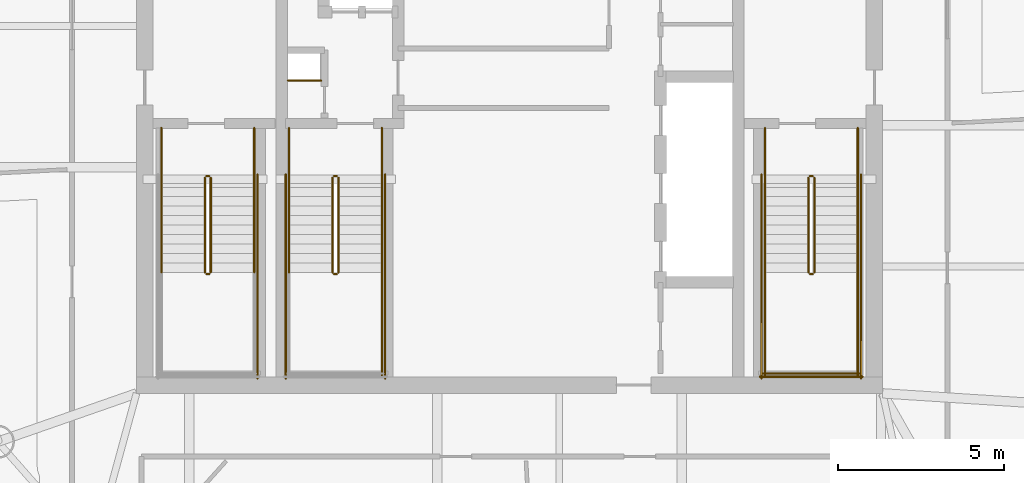
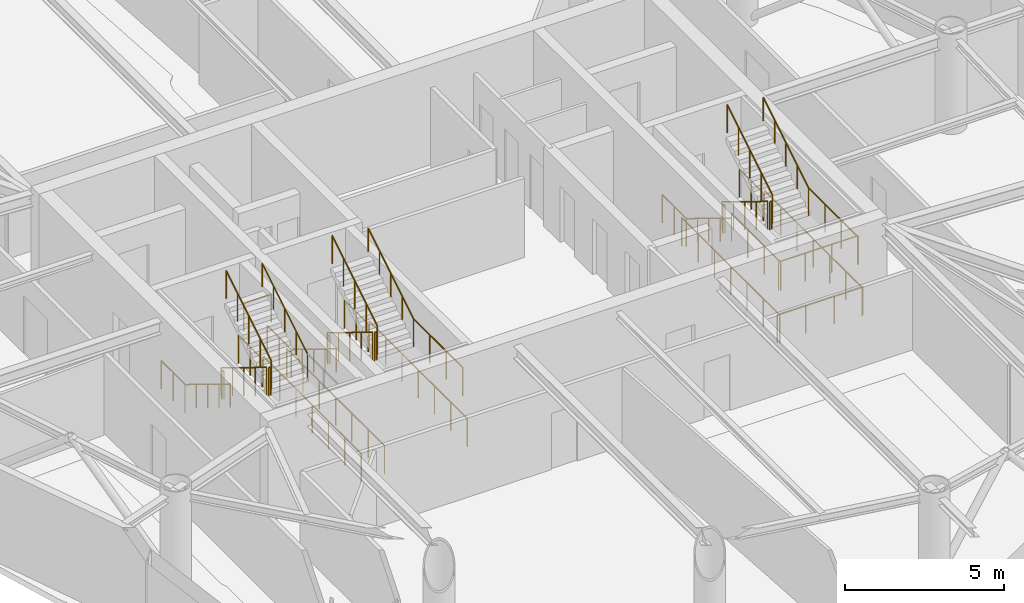
# One storey, part 16 of 17: 35 railings.
"""IFC4 building model written with IfcOpenShell, lengths in metres."""

from ifc_helpers import new_model, si_unit, direction, frame, origin, origin_2d, place, context, subcontext, project, spatial, circle, extrude, material, type_object, element, save


model = new_model("IFC4")

# Units and contexts
model_context = context("Model", 3, precision=1e-05, world=origin(), true_north=direction((0.0, 1.0)))
body_context = subcontext(model_context, "Body", "Model", "MODEL_VIEW")
ifc_project = project(units=[si_unit("LENGTHUNIT", "METRE"), si_unit("AREAUNIT", "SQUARE_METRE"), si_unit("VOLUMEUNIT", "CUBIC_METRE"), si_unit("PLANEANGLEUNIT", "RADIAN"), si_unit("MASSUNIT", "GRAM", prefix="KILO")], contexts=[model_context])

# Site, building, storey
site_placement = place(None, origin())
site = spatial("IfcSite", under=ifc_project, at=site_placement, CompositionType="ELEMENT")
building_placement = place(site_placement, origin())
building = spatial("IfcBuilding", under=site, at=building_placement, Name="Bramvorn Convention Spire", CompositionType="ELEMENT")
storey_placement = place(building_placement, frame((0.0, 0.0, 280.550048828125)))
storey = spatial("IfcBuildingStorey", under=building, at=storey_placement, Name="L71", CompositionType="ELEMENT", Elevation=280.550048828125)

# Railings
ifc_material_1 = material(Name="Painted Steel Balustrade & Guardrail", Category="steel")
railing_type_1 = type_object("IfcRailingType", Name="RL-STAIR-GUARD-1100", PredefinedType="GUARDRAIL", material=ifc_material_1)
railing_1_placement = place(storey_placement, frame((28.81005859375, 25.050048828125, 0.175048828125)))
element("IfcRailing", 1, at=railing_1_placement, inside=storey, type_object=railing_type_1, Name="L71 ST1 stair guard 1", PredefinedType="GUARDRAIL", context=body_context, shape_type="SweptSolid", body=[
    extrude(circle(Radius=0.02392578125, at=origin_2d()), frame((0.0, 0.0, 1.076171875), z_axis=(0.0, -0.852179220489, 0.52325001306), x_axis=(1.0, 0.0, 0.0)), (0.0, 0.0, 1.0), 3.344482421875),
    extrude(circle(Radius=0.02099609375, at=origin_2d()), origin(), (0.0, 0.0, 1.0), 1.052001953125),
    extrude(circle(Radius=0.02099609375, at=origin_2d()), frame((0.0, -0.71240234375, 0.4375)), (0.0, 0.0, 1.0), 1.052001953125),
    extrude(circle(Radius=0.02099609375, at=origin_2d()), frame((0.0, -1.425048828125, 0.875)), (0.0, 0.0, 1.0), 1.052001953125),
    extrude(circle(Radius=0.02099609375, at=origin_2d()), frame((0.0, -2.1376953125, 1.3125)), (0.0, 0.0, 1.0), 1.052001953125),
    extrude(circle(Radius=0.02099609375, at=origin_2d()), frame((0.0, -2.85009765625, 1.75)), (0.0, 0.0, 1.0), 1.052001953125),
])
railing_2_placement = place(storey_placement, frame((28.860107421875, 22.14990234375, 1.925048828125)))
element("IfcRailing", 2, at=railing_2_placement, inside=storey, type_object=railing_type_1, Name="L71 ST1 stair guard 2", PredefinedType="GUARDRAIL", context=body_context, shape_type="SweptSolid", body=[
    extrude(circle(Radius=0.02392578125, at=origin_2d()), frame((0.0, 0.0, 1.076171875), z_axis=(1.0, 0.0, 0.0), x_axis=(0.0, 1.0, 0.0)), (0.0, 0.0, 1.0), 0.079833984375),
    extrude(circle(Radius=0.02099609375, at=origin_2d()), origin(), (0.0, 0.0, 1.0), 1.052001953125),
    extrude(circle(Radius=0.02099609375, at=origin_2d()), frame((0.079833984375, 0.0, 0.0)), (0.0, 0.0, 1.0), 1.052001953125),
])
railing_3_placement = place(storey_placement, frame((28.989990234375, 22.199951171875, 2.099853515625)))
element("IfcRailing", 3, at=railing_3_placement, inside=storey, type_object=railing_type_1, Name="L71 ST1 stair guard 6", PredefinedType="GUARDRAIL", context=body_context, shape_type="SweptSolid", body=[
    extrude(circle(Radius=0.02392578125, at=origin_2d()), frame((0.0, 0.0, 1.076171875), z_axis=(0.0, 0.852179220489, 0.52325001306), x_axis=(-1.0, 0.0, 0.0)), (0.0, 0.0, 1.0), 3.344482421875),
    extrude(circle(Radius=0.02099609375, at=origin_2d()), origin(), (0.0, 0.0, 1.0), 1.052001953125),
    extrude(circle(Radius=0.02099609375, at=origin_2d()), frame((0.0, 0.71240234375, 0.4375)), (0.0, 0.0, 1.0), 1.052001953125),
    extrude(circle(Radius=0.02099609375, at=origin_2d()), frame((0.0, 1.425048828125, 0.875)), (0.0, 0.0, 1.0), 1.052001953125),
    extrude(circle(Radius=0.02099609375, at=origin_2d()), frame((0.0, 2.1376953125, 1.3125)), (0.0, 0.0, 1.0), 1.052001953125),
    extrude(circle(Radius=0.02099609375, at=origin_2d()), frame((0.0, 2.85009765625, 1.75)), (0.0, 0.0, 1.0), 1.052001953125),
])
railing_4_placement = place(storey_placement, frame((28.860107421875, 25.10009765625, 0.0)))
element("IfcRailing", 4, at=railing_4_placement, inside=storey, type_object=railing_type_1, Name="L71 ST1 stair guard 7", PredefinedType="GUARDRAIL", context=body_context, shape_type="SweptSolid", body=[
    extrude(circle(Radius=0.02392578125, at=origin_2d()), frame((0.0, 0.0, 1.076171875), z_axis=(1.0, 0.0, 0.0), x_axis=(0.0, 1.0, 0.0)), (0.0, 0.0, 1.0), 0.079833984375),
    extrude(circle(Radius=0.02099609375, at=origin_2d()), origin(), (0.0, 0.0, 1.0), 1.052001953125),
    extrude(circle(Radius=0.02099609375, at=origin_2d()), frame((0.079833984375, 0.0, 0.0)), (0.0, 0.0, 1.0), 1.052001953125),
])
for number, where, name in (
    (5, (27.5, 26.550048828125, 0.0), "L71 ST1 stair guard 8"),
    (6, (30.300048828125, 26.550048828125, 0.0), "L71 ST1 stair guard 9"),
):
    element("IfcRailing", number, at=place(storey_placement, frame(where)), inside=storey, type_object=railing_type_1, Name=name, PredefinedType="GUARDRAIL", context=body_context, shape_type="SweptSolid", body=[
        extrude(circle(Radius=0.02392578125, at=origin_2d()), frame((0.0, 0.0, 1.076171875), z_axis=(0.0, -1.0, 0.0), x_axis=(1.0, 0.0, 0.0)), (0.0, 0.0, 1.0), 1.5),
        extrude(circle(Radius=0.02099609375, at=origin_2d()), origin(), (0.0, 0.0, 1.0), 1.052001953125),
        extrude(circle(Radius=0.02099609375, at=origin_2d()), frame((0.0, -0.75, 0.0)), (0.0, 0.0, 1.0), 1.052001953125),
        extrude(circle(Radius=0.02099609375, at=origin_2d()), frame((0.0, -1.5, 0.0)), (0.0, 0.0, 1.0), 1.052001953125),
    ])
railing_5_placement = place(storey_placement, frame((30.39990234375, 25.14990234375, 0.0)))
element("IfcRailing", 7, at=railing_5_placement, inside=storey, type_object=railing_type_1, Name="L71 ST1 stair guard 11", PredefinedType="GUARDRAIL", context=body_context, shape_type="SweptSolid", body=[
    extrude(circle(Radius=0.02392578125, at=origin_2d()), frame((0.0, 0.0, 1.076171875), z_axis=(0.0, -1.0, 0.0), x_axis=(1.0, 0.0, 0.0)), (0.0, 0.0, 1.0), 6.14990234375),
    extrude(circle(Radius=0.02099609375, at=origin_2d()), origin(), (0.0, 0.0, 1.0), 1.052001953125),
    extrude(circle(Radius=0.02099609375, at=origin_2d()), frame((0.0, -1.02490234375, 0.0)), (0.0, 0.0, 1.0), 1.052001953125),
    extrude(circle(Radius=0.02099609375, at=origin_2d()), frame((0.0, -2.050048828125, 0.0)), (0.0, 0.0, 1.0), 1.052001953125),
    extrude(circle(Radius=0.02099609375, at=origin_2d()), frame((0.0, -3.074951171875, 0.0)), (0.0, 0.0, 1.0), 1.052001953125),
    extrude(circle(Radius=0.02099609375, at=origin_2d()), frame((0.0, -4.099853515625, 0.0)), (0.0, 0.0, 1.0), 1.052001953125),
    extrude(circle(Radius=0.02099609375, at=origin_2d()), frame((0.0, -5.125, 0.0)), (0.0, 0.0, 1.0), 1.052001953125),
    extrude(circle(Radius=0.02099609375, at=origin_2d()), frame((0.0, -6.14990234375, 0.0)), (0.0, 0.0, 1.0), 1.052001953125),
])
railing_6_placement = place(storey_placement, frame((47.010009765625, 25.050048828125, 0.175048828125)))
element("IfcRailing", 8, at=railing_6_placement, inside=storey, type_object=railing_type_1, Name="L71 ST2 stair guard 1", PredefinedType="GUARDRAIL", context=body_context, shape_type="SweptSolid", body=[
    extrude(circle(Radius=0.02392578125, at=origin_2d()), frame((0.0, 0.0, 1.076171875), z_axis=(0.0, -0.852179220489, 0.52325001306), x_axis=(1.0, 0.0, 0.0)), (0.0, 0.0, 1.0), 3.344482421875),
    extrude(circle(Radius=0.02099609375, at=origin_2d()), origin(), (0.0, 0.0, 1.0), 1.052001953125),
    extrude(circle(Radius=0.02099609375, at=origin_2d()), frame((0.0, -0.71240234375, 0.4375)), (0.0, 0.0, 1.0), 1.052001953125),
    extrude(circle(Radius=0.02099609375, at=origin_2d()), frame((0.0, -1.425048828125, 0.875)), (0.0, 0.0, 1.0), 1.052001953125),
    extrude(circle(Radius=0.02099609375, at=origin_2d()), frame((0.0, -2.1376953125, 1.3125)), (0.0, 0.0, 1.0), 1.052001953125),
    extrude(circle(Radius=0.02099609375, at=origin_2d()), frame((0.0, -2.85009765625, 1.75)), (0.0, 0.0, 1.0), 1.052001953125),
])
railing_7_placement = place(storey_placement, frame((47.06005859375, 22.14990234375, 1.925048828125)))
element("IfcRailing", 9, at=railing_7_placement, inside=storey, type_object=railing_type_1, Name="L71 ST2 stair guard 2", PredefinedType="GUARDRAIL", context=body_context, shape_type="SweptSolid", body=[
    extrude(circle(Radius=0.02392578125, at=origin_2d()), frame((0.0, 0.0, 1.076171875), z_axis=(1.0, 0.0, 0.0), x_axis=(0.0, 1.0, 0.0)), (0.0, 0.0, 1.0), 0.079833984375),
    extrude(circle(Radius=0.02099609375, at=origin_2d()), origin(), (0.0, 0.0, 1.0), 1.052001953125),
    extrude(circle(Radius=0.02099609375, at=origin_2d()), frame((0.079833984375, 0.0, 0.0)), (0.0, 0.0, 1.0), 1.052001953125),
])
for number, where, name in (
    (10, (45.699951171875, 22.199951171875, 1.925048828125), "L71 ST2 stair guard 3"),
    (11, (48.5, 22.199951171875, 1.925048828125), "L71 ST2 stair guard 4"),
):
    element("IfcRailing", number, at=place(storey_placement, frame(where)), inside=storey, type_object=railing_type_1, Name=name, PredefinedType="GUARDRAIL", context=body_context, shape_type="SweptSolid", body=[
        extrude(circle(Radius=0.02392578125, at=origin_2d()), frame((0.0, 0.0, 1.076171875), z_axis=(0.0, -1.0, 0.0), x_axis=(1.0, 0.0, 0.0)), (0.0, 0.0, 1.0), 3.099853515625),
        extrude(circle(Radius=0.02099609375, at=origin_2d()), origin(), (0.0, 0.0, 1.0), 1.052001953125),
        extrude(circle(Radius=0.02099609375, at=origin_2d()), frame((0.0, -1.033203125, 0.0)), (0.0, 0.0, 1.0), 1.052001953125),
        extrude(circle(Radius=0.02099609375, at=origin_2d()), frame((0.0, -2.066650390625, 0.0)), (0.0, 0.0, 1.0), 1.052001953125),
        extrude(circle(Radius=0.02099609375, at=origin_2d()), frame((0.0, -3.099853515625, 0.0)), (0.0, 0.0, 1.0), 1.052001953125),
    ])
railing_8_placement = place(storey_placement, frame((45.64990234375, 19.14990234375, 1.925048828125)))
element("IfcRailing", 12, at=railing_8_placement, inside=storey, type_object=railing_type_1, Name="L71 ST2 stair guard 5", PredefinedType="GUARDRAIL", context=body_context, shape_type="SweptSolid", body=[
    extrude(circle(Radius=0.02392578125, at=origin_2d()), frame((0.0, 0.0, 1.076171875), z_axis=(1.0, 0.0, 0.0), x_axis=(0.0, 1.0, 0.0)), (0.0, 0.0, 1.0), 2.900146484375),
    extrude(circle(Radius=0.02099609375, at=origin_2d()), origin(), (0.0, 0.0, 1.0), 1.052001953125),
    extrude(circle(Radius=0.02099609375, at=origin_2d()), frame((0.966796875, 0.0, 0.0)), (0.0, 0.0, 1.0), 1.052001953125),
    extrude(circle(Radius=0.02099609375, at=origin_2d()), frame((1.933349609375, 0.0, 0.0)), (0.0, 0.0, 1.0), 1.052001953125),
    extrude(circle(Radius=0.02099609375, at=origin_2d()), frame((2.900146484375, 0.0, 0.0)), (0.0, 0.0, 1.0), 1.052001953125),
])
railing_9_placement = place(storey_placement, frame((47.18994140625, 22.199951171875, 2.099853515625)))
element("IfcRailing", 13, at=railing_9_placement, inside=storey, type_object=railing_type_1, Name="L71 ST2 stair guard 6", PredefinedType="GUARDRAIL", context=body_context, shape_type="SweptSolid", body=[
    extrude(circle(Radius=0.02392578125, at=origin_2d()), frame((0.0, 0.0, 1.076171875), z_axis=(0.0, 0.852179220489, 0.52325001306), x_axis=(-1.0, 0.0, 0.0)), (0.0, 0.0, 1.0), 3.344482421875),
    extrude(circle(Radius=0.02099609375, at=origin_2d()), origin(), (0.0, 0.0, 1.0), 1.052001953125),
    extrude(circle(Radius=0.02099609375, at=origin_2d()), frame((0.0, 0.71240234375, 0.4375)), (0.0, 0.0, 1.0), 1.052001953125),
    extrude(circle(Radius=0.02099609375, at=origin_2d()), frame((0.0, 1.425048828125, 0.875)), (0.0, 0.0, 1.0), 1.052001953125),
    extrude(circle(Radius=0.02099609375, at=origin_2d()), frame((0.0, 2.1376953125, 1.3125)), (0.0, 0.0, 1.0), 1.052001953125),
    extrude(circle(Radius=0.02099609375, at=origin_2d()), frame((0.0, 2.85009765625, 1.75)), (0.0, 0.0, 1.0), 1.052001953125),
])
railing_10_placement = place(storey_placement, frame((47.06005859375, 25.10009765625, 0.0)))
element("IfcRailing", 14, at=railing_10_placement, inside=storey, type_object=railing_type_1, Name="L71 ST2 stair guard 7", PredefinedType="GUARDRAIL", context=body_context, shape_type="SweptSolid", body=[
    extrude(circle(Radius=0.02392578125, at=origin_2d()), frame((0.0, 0.0, 1.076171875), z_axis=(1.0, 0.0, 0.0), x_axis=(0.0, 1.0, 0.0)), (0.0, 0.0, 1.0), 0.079833984375),
    extrude(circle(Radius=0.02099609375, at=origin_2d()), origin(), (0.0, 0.0, 1.0), 1.052001953125),
    extrude(circle(Radius=0.02099609375, at=origin_2d()), frame((0.079833984375, 0.0, 0.0)), (0.0, 0.0, 1.0), 1.052001953125),
])
for number, where, name in (
    (15, (45.699951171875, 26.550048828125, 0.0), "L71 ST2 stair guard 8"),
    (16, (48.5, 26.550048828125, 0.0), "L71 ST2 stair guard 9"),
):
    element("IfcRailing", number, at=place(storey_placement, frame(where)), inside=storey, type_object=railing_type_1, Name=name, PredefinedType="GUARDRAIL", context=body_context, shape_type="SweptSolid", body=[
        extrude(circle(Radius=0.02392578125, at=origin_2d()), frame((0.0, 0.0, 1.076171875), z_axis=(0.0, -1.0, 0.0), x_axis=(1.0, 0.0, 0.0)), (0.0, 0.0, 1.0), 1.5),
        extrude(circle(Radius=0.02099609375, at=origin_2d()), origin(), (0.0, 0.0, 1.0), 1.052001953125),
        extrude(circle(Radius=0.02099609375, at=origin_2d()), frame((0.0, -0.75, 0.0)), (0.0, 0.0, 1.0), 1.052001953125),
        extrude(circle(Radius=0.02099609375, at=origin_2d()), frame((0.0, -1.5, 0.0)), (0.0, 0.0, 1.0), 1.052001953125),
    ])
for number, where, name in (
    (17, (45.60009765625, 25.14990234375, 0.0), "L71 ST2 stair guard 10"),
    (18, (48.60009765625, 25.14990234375, 0.0), "L71 ST2 stair guard 11"),
):
    element("IfcRailing", number, at=place(storey_placement, frame(where)), inside=storey, type_object=railing_type_1, Name=name, PredefinedType="GUARDRAIL", context=body_context, shape_type="SweptSolid", body=[
        extrude(circle(Radius=0.02392578125, at=origin_2d()), frame((0.0, 0.0, 1.076171875), z_axis=(0.0, -1.0, 0.0), x_axis=(1.0, 0.0, 0.0)), (0.0, 0.0, 1.0), 6.14990234375),
        extrude(circle(Radius=0.02099609375, at=origin_2d()), origin(), (0.0, 0.0, 1.0), 1.052001953125),
        extrude(circle(Radius=0.02099609375, at=origin_2d()), frame((0.0, -1.02490234375, 0.0)), (0.0, 0.0, 1.0), 1.052001953125),
        extrude(circle(Radius=0.02099609375, at=origin_2d()), frame((0.0, -2.050048828125, 0.0)), (0.0, 0.0, 1.0), 1.052001953125),
        extrude(circle(Radius=0.02099609375, at=origin_2d()), frame((0.0, -3.074951171875, 0.0)), (0.0, 0.0, 1.0), 1.052001953125),
        extrude(circle(Radius=0.02099609375, at=origin_2d()), frame((0.0, -4.099853515625, 0.0)), (0.0, 0.0, 1.0), 1.052001953125),
        extrude(circle(Radius=0.02099609375, at=origin_2d()), frame((0.0, -5.125, 0.0)), (0.0, 0.0, 1.0), 1.052001953125),
        extrude(circle(Radius=0.02099609375, at=origin_2d()), frame((0.0, -6.14990234375, 0.0)), (0.0, 0.0, 1.0), 1.052001953125),
    ])
railing_11_placement = place(storey_placement, frame((45.550048828125, 19.050048828125, 0.0)))
element("IfcRailing", 19, at=railing_11_placement, inside=storey, type_object=railing_type_1, Name="L71 ST2 stair guard 12", PredefinedType="GUARDRAIL", context=body_context, shape_type="SweptSolid", body=[
    extrude(circle(Radius=0.02392578125, at=origin_2d()), frame((0.0, 0.0, 1.076171875), z_axis=(1.0, 0.0, 0.0), x_axis=(0.0, 1.0, 0.0)), (0.0, 0.0, 1.0), 3.099853515625),
    extrude(circle(Radius=0.02099609375, at=origin_2d()), origin(), (0.0, 0.0, 1.0), 1.052001953125),
    extrude(circle(Radius=0.02099609375, at=origin_2d()), frame((1.033203125, 0.0, 0.0)), (0.0, 0.0, 1.0), 1.052001953125),
    extrude(circle(Radius=0.02099609375, at=origin_2d()), frame((2.066650390625, 0.0, 0.0)), (0.0, 0.0, 1.0), 1.052001953125),
    extrude(circle(Radius=0.02099609375, at=origin_2d()), frame((3.099853515625, 0.0, 0.0)), (0.0, 0.0, 1.0), 1.052001953125),
])
railing_12_placement = place(storey_placement, frame((32.659912109375, 25.050048828125, 0.175048828125)))
element("IfcRailing", 20, at=railing_12_placement, inside=storey, type_object=railing_type_1, Name="L71 ST3 stair guard 1", PredefinedType="GUARDRAIL", context=body_context, shape_type="SweptSolid", body=[
    extrude(circle(Radius=0.02392578125, at=origin_2d()), frame((0.0, 0.0, 1.076171875), z_axis=(0.0, -0.852179220489, 0.52325001306), x_axis=(1.0, 0.0, 0.0)), (0.0, 0.0, 1.0), 3.344482421875),
    extrude(circle(Radius=0.02099609375, at=origin_2d()), origin(), (0.0, 0.0, 1.0), 1.052001953125),
    extrude(circle(Radius=0.02099609375, at=origin_2d()), frame((0.0, -0.71240234375, 0.4375)), (0.0, 0.0, 1.0), 1.052001953125),
    extrude(circle(Radius=0.02099609375, at=origin_2d()), frame((0.0, -1.425048828125, 0.875)), (0.0, 0.0, 1.0), 1.052001953125),
    extrude(circle(Radius=0.02099609375, at=origin_2d()), frame((0.0, -2.1376953125, 1.3125)), (0.0, 0.0, 1.0), 1.052001953125),
    extrude(circle(Radius=0.02099609375, at=origin_2d()), frame((0.0, -2.85009765625, 1.75)), (0.0, 0.0, 1.0), 1.052001953125),
])
railing_13_placement = place(storey_placement, frame((32.7099609375, 22.14990234375, 1.925048828125)))
element("IfcRailing", 21, at=railing_13_placement, inside=storey, type_object=railing_type_1, Name="L71 ST3 stair guard 2", PredefinedType="GUARDRAIL", context=body_context, shape_type="SweptSolid", body=[
    extrude(circle(Radius=0.02392578125, at=origin_2d()), frame((0.0, 0.0, 1.076171875), z_axis=(1.0, 0.0, 0.0), x_axis=(0.0, 1.0, 0.0)), (0.0, 0.0, 1.0), 0.080078125),
    extrude(circle(Radius=0.02099609375, at=origin_2d()), origin(), (0.0, 0.0, 1.0), 1.052001953125),
    extrude(circle(Radius=0.02099609375, at=origin_2d()), frame((0.080078125, 0.0, 0.0)), (0.0, 0.0, 1.0), 1.052001953125),
])
railing_14_placement = place(storey_placement, frame((34.14990234375, 22.199951171875, 1.925048828125)))
element("IfcRailing", 22, at=railing_14_placement, inside=storey, type_object=railing_type_1, Name="L71 ST3 stair guard 4", PredefinedType="GUARDRAIL", context=body_context, shape_type="SweptSolid", body=[
    extrude(circle(Radius=0.02392578125, at=origin_2d()), frame((0.0, 0.0, 1.076171875), z_axis=(0.0, -1.0, 0.0), x_axis=(1.0, 0.0, 0.0)), (0.0, 0.0, 1.0), 3.099853515625),
    extrude(circle(Radius=0.02099609375, at=origin_2d()), origin(), (0.0, 0.0, 1.0), 1.052001953125),
    extrude(circle(Radius=0.02099609375, at=origin_2d()), frame((0.0, -1.033203125, 0.0)), (0.0, 0.0, 1.0), 1.052001953125),
    extrude(circle(Radius=0.02099609375, at=origin_2d()), frame((0.0, -2.066650390625, 0.0)), (0.0, 0.0, 1.0), 1.052001953125),
    extrude(circle(Radius=0.02099609375, at=origin_2d()), frame((0.0, -3.099853515625, 0.0)), (0.0, 0.0, 1.0), 1.052001953125),
])
railing_15_placement = place(storey_placement, frame((32.840087890625, 22.199951171875, 2.099853515625)))
element("IfcRailing", 23, at=railing_15_placement, inside=storey, type_object=railing_type_1, Name="L71 ST3 stair guard 6", PredefinedType="GUARDRAIL", context=body_context, shape_type="SweptSolid", body=[
    extrude(circle(Radius=0.02392578125, at=origin_2d()), frame((0.0, 0.0, 1.076171875), z_axis=(0.0, 0.852179220489, 0.52325001306), x_axis=(-1.0, 0.0, 0.0)), (0.0, 0.0, 1.0), 3.344482421875),
    extrude(circle(Radius=0.02099609375, at=origin_2d()), origin(), (0.0, 0.0, 1.0), 1.052001953125),
    extrude(circle(Radius=0.02099609375, at=origin_2d()), frame((0.0, 0.71240234375, 0.4375)), (0.0, 0.0, 1.0), 1.052001953125),
    extrude(circle(Radius=0.02099609375, at=origin_2d()), frame((0.0, 1.425048828125, 0.875)), (0.0, 0.0, 1.0), 1.052001953125),
    extrude(circle(Radius=0.02099609375, at=origin_2d()), frame((0.0, 2.1376953125, 1.3125)), (0.0, 0.0, 1.0), 1.052001953125),
    extrude(circle(Radius=0.02099609375, at=origin_2d()), frame((0.0, 2.85009765625, 1.75)), (0.0, 0.0, 1.0), 1.052001953125),
])
railing_16_placement = place(storey_placement, frame((32.7099609375, 25.10009765625, 0.0)))
element("IfcRailing", 24, at=railing_16_placement, inside=storey, type_object=railing_type_1, Name="L71 ST3 stair guard 7", PredefinedType="GUARDRAIL", context=body_context, shape_type="SweptSolid", body=[
    extrude(circle(Radius=0.02392578125, at=origin_2d()), frame((0.0, 0.0, 1.076171875), z_axis=(1.0, 0.0, 0.0), x_axis=(0.0, 1.0, 0.0)), (0.0, 0.0, 1.0), 0.080078125),
    extrude(circle(Radius=0.02099609375, at=origin_2d()), origin(), (0.0, 0.0, 1.0), 1.052001953125),
    extrude(circle(Radius=0.02099609375, at=origin_2d()), frame((0.080078125, 0.0, 0.0)), (0.0, 0.0, 1.0), 1.052001953125),
])
for number, where, name in (
    (25, (31.35009765625, 26.550048828125, 0.0), "L71 ST3 stair guard 8"),
    (26, (34.14990234375, 26.550048828125, 0.0), "L71 ST3 stair guard 9"),
):
    element("IfcRailing", number, at=place(storey_placement, frame(where)), inside=storey, type_object=railing_type_1, Name=name, PredefinedType="GUARDRAIL", context=body_context, shape_type="SweptSolid", body=[
        extrude(circle(Radius=0.02392578125, at=origin_2d()), frame((0.0, 0.0, 1.076171875), z_axis=(0.0, -1.0, 0.0), x_axis=(1.0, 0.0, 0.0)), (0.0, 0.0, 1.0), 1.5),
        extrude(circle(Radius=0.02099609375, at=origin_2d()), origin(), (0.0, 0.0, 1.0), 1.052001953125),
        extrude(circle(Radius=0.02099609375, at=origin_2d()), frame((0.0, -0.75, 0.0)), (0.0, 0.0, 1.0), 1.052001953125),
        extrude(circle(Radius=0.02099609375, at=origin_2d()), frame((0.0, -1.5, 0.0)), (0.0, 0.0, 1.0), 1.052001953125),
    ])
for number, where, name in (
    (27, (31.25, 25.14990234375, 0.0), "L71 ST3 stair guard 10"),
    (28, (34.25, 25.14990234375, 0.0), "L71 ST3 stair guard 11"),
):
    element("IfcRailing", number, at=place(storey_placement, frame(where)), inside=storey, type_object=railing_type_1, Name=name, PredefinedType="GUARDRAIL", context=body_context, shape_type="SweptSolid", body=[
        extrude(circle(Radius=0.02392578125, at=origin_2d()), frame((0.0, 0.0, 1.076171875), z_axis=(0.0, -1.0, 0.0), x_axis=(1.0, 0.0, 0.0)), (0.0, 0.0, 1.0), 6.14990234375),
        extrude(circle(Radius=0.02099609375, at=origin_2d()), origin(), (0.0, 0.0, 1.0), 1.052001953125),
        extrude(circle(Radius=0.02099609375, at=origin_2d()), frame((0.0, -1.02490234375, 0.0)), (0.0, 0.0, 1.0), 1.052001953125),
        extrude(circle(Radius=0.02099609375, at=origin_2d()), frame((0.0, -2.050048828125, 0.0)), (0.0, 0.0, 1.0), 1.052001953125),
        extrude(circle(Radius=0.02099609375, at=origin_2d()), frame((0.0, -3.074951171875, 0.0)), (0.0, 0.0, 1.0), 1.052001953125),
        extrude(circle(Radius=0.02099609375, at=origin_2d()), frame((0.0, -4.099853515625, 0.0)), (0.0, 0.0, 1.0), 1.052001953125),
        extrude(circle(Radius=0.02099609375, at=origin_2d()), frame((0.0, -5.125, 0.0)), (0.0, 0.0, 1.0), 1.052001953125),
        extrude(circle(Radius=0.02099609375, at=origin_2d()), frame((0.0, -6.14990234375, 0.0)), (0.0, 0.0, 1.0), 1.052001953125),
    ])
railing_17_placement = place(storey_placement, frame((31.320068359375, 27.97998046875, 0.0)))
element("IfcRailing", 29, at=railing_17_placement, inside=storey, type_object=railing_type_1, Name="L71 Telecom riser shaft opening safety guardrail", PredefinedType="GUARDRAIL", context=body_context, shape_type="SweptSolid", body=[
    extrude(circle(Radius=0.02392578125, at=origin_2d()), frame((0.0, 0.0, 1.076171875), z_axis=(1.0, 0.0, 0.0), x_axis=(0.0, 1.0, 0.0)), (0.0, 0.0, 1.0), 1.0),
    extrude(circle(Radius=0.02099609375, at=origin_2d()), origin(), (0.0, 0.0, 1.0), 1.052001953125),
    extrude(circle(Radius=0.02099609375, at=origin_2d()), frame((1.0, 0.0, 0.0)), (0.0, 0.0, 1.0), 1.052001953125),
])
ifc_material_2 = material(Name="Brushed Bronze Tubular Handrail", Category="aluminium")
railing_type_2 = type_object("IfcRailingType", Name="RL-STAIR-HR-920", PredefinedType="HANDRAIL", material=ifc_material_2)
railing_18_placement = place(storey_placement, frame((27.5, 25.050048828125, 0.175048828125)))
element("IfcRailing", 30, at=railing_18_placement, inside=storey, type_object=railing_type_2, Name="L71 ST1 stair handrail 1", PredefinedType="HANDRAIL", context=body_context, shape_type="SweptSolid", body=[
    extrude(circle(Radius=0.02392578125, at=origin_2d()), frame((0.0, 0.0, 0.89599609375), z_axis=(0.0, -0.852179220489, 0.52325001306), x_axis=(1.0, 0.0, 0.0)), (0.0, 0.0, 1.0), 3.344482421875),
    extrude(circle(Radius=0.02099609375, at=origin_2d()), origin(), (0.0, 0.0, 1.0), 0.871826171875),
    extrude(circle(Radius=0.02099609375, at=origin_2d()), frame((0.0, -0.71240234375, 0.4375)), (0.0, 0.0, 1.0), 0.871826171875),
    extrude(circle(Radius=0.02099609375, at=origin_2d()), frame((0.0, -1.425048828125, 0.875)), (0.0, 0.0, 1.0), 0.871826171875),
    extrude(circle(Radius=0.02099609375, at=origin_2d()), frame((0.0, -2.1376953125, 1.3125)), (0.0, 0.0, 1.0), 0.871826171875),
    extrude(circle(Radius=0.02099609375, at=origin_2d()), frame((0.0, -2.85009765625, 1.75)), (0.0, 0.0, 1.0), 0.871826171875),
])
railing_19_placement = place(storey_placement, frame((30.300048828125, 22.199951171875, 2.099853515625)))
element("IfcRailing", 31, at=railing_19_placement, inside=storey, type_object=railing_type_2, Name="L71 ST1 stair handrail 2", PredefinedType="HANDRAIL", context=body_context, shape_type="SweptSolid", body=[
    extrude(circle(Radius=0.02392578125, at=origin_2d()), frame((0.0, 0.0, 0.89599609375), z_axis=(0.0, 0.852179220489, 0.52325001306), x_axis=(-1.0, 0.0, 0.0)), (0.0, 0.0, 1.0), 3.344482421875),
    extrude(circle(Radius=0.02099609375, at=origin_2d()), origin(), (0.0, 0.0, 1.0), 0.871826171875),
    extrude(circle(Radius=0.02099609375, at=origin_2d()), frame((0.0, 0.71240234375, 0.4375)), (0.0, 0.0, 1.0), 0.871826171875),
    extrude(circle(Radius=0.02099609375, at=origin_2d()), frame((0.0, 1.425048828125, 0.875)), (0.0, 0.0, 1.0), 0.871826171875),
    extrude(circle(Radius=0.02099609375, at=origin_2d()), frame((0.0, 2.1376953125, 1.3125)), (0.0, 0.0, 1.0), 0.871826171875),
    extrude(circle(Radius=0.02099609375, at=origin_2d()), frame((0.0, 2.85009765625, 1.75)), (0.0, 0.0, 1.0), 0.871826171875),
])
railing_20_placement = place(storey_placement, frame((45.699951171875, 25.050048828125, 0.175048828125)))
element("IfcRailing", 32, at=railing_20_placement, inside=storey, type_object=railing_type_2, Name="L71 ST2 stair handrail 1", PredefinedType="HANDRAIL", context=body_context, shape_type="SweptSolid", body=[
    extrude(circle(Radius=0.02392578125, at=origin_2d()), frame((0.0, 0.0, 0.89599609375), z_axis=(0.0, -0.852179220489, 0.52325001306), x_axis=(1.0, 0.0, 0.0)), (0.0, 0.0, 1.0), 3.344482421875),
    extrude(circle(Radius=0.02099609375, at=origin_2d()), origin(), (0.0, 0.0, 1.0), 0.871826171875),
    extrude(circle(Radius=0.02099609375, at=origin_2d()), frame((0.0, -0.71240234375, 0.4375)), (0.0, 0.0, 1.0), 0.871826171875),
    extrude(circle(Radius=0.02099609375, at=origin_2d()), frame((0.0, -1.425048828125, 0.875)), (0.0, 0.0, 1.0), 0.871826171875),
    extrude(circle(Radius=0.02099609375, at=origin_2d()), frame((0.0, -2.1376953125, 1.3125)), (0.0, 0.0, 1.0), 0.871826171875),
    extrude(circle(Radius=0.02099609375, at=origin_2d()), frame((0.0, -2.85009765625, 1.75)), (0.0, 0.0, 1.0), 0.871826171875),
])
railing_21_placement = place(storey_placement, frame((48.5, 22.199951171875, 2.099853515625)))
element("IfcRailing", 33, at=railing_21_placement, inside=storey, type_object=railing_type_2, Name="L71 ST2 stair handrail 2", PredefinedType="HANDRAIL", context=body_context, shape_type="SweptSolid", body=[
    extrude(circle(Radius=0.02392578125, at=origin_2d()), frame((0.0, 0.0, 0.89599609375), z_axis=(0.0, 0.852179220489, 0.52325001306), x_axis=(-1.0, 0.0, 0.0)), (0.0, 0.0, 1.0), 3.344482421875),
    extrude(circle(Radius=0.02099609375, at=origin_2d()), origin(), (0.0, 0.0, 1.0), 0.871826171875),
    extrude(circle(Radius=0.02099609375, at=origin_2d()), frame((0.0, 0.71240234375, 0.4375)), (0.0, 0.0, 1.0), 0.871826171875),
    extrude(circle(Radius=0.02099609375, at=origin_2d()), frame((0.0, 1.425048828125, 0.875)), (0.0, 0.0, 1.0), 0.871826171875),
    extrude(circle(Radius=0.02099609375, at=origin_2d()), frame((0.0, 2.1376953125, 1.3125)), (0.0, 0.0, 1.0), 0.871826171875),
    extrude(circle(Radius=0.02099609375, at=origin_2d()), frame((0.0, 2.85009765625, 1.75)), (0.0, 0.0, 1.0), 0.871826171875),
])
railing_22_placement = place(storey_placement, frame((31.35009765625, 25.050048828125, 0.175048828125)))
element("IfcRailing", 34, at=railing_22_placement, inside=storey, type_object=railing_type_2, Name="L71 ST3 stair handrail 1", PredefinedType="HANDRAIL", context=body_context, shape_type="SweptSolid", body=[
    extrude(circle(Radius=0.02392578125, at=origin_2d()), frame((0.0, 0.0, 0.89599609375), z_axis=(0.0, -0.852179220489, 0.52325001306), x_axis=(1.0, 0.0, 0.0)), (0.0, 0.0, 1.0), 3.344482421875),
    extrude(circle(Radius=0.02099609375, at=origin_2d()), origin(), (0.0, 0.0, 1.0), 0.871826171875),
    extrude(circle(Radius=0.02099609375, at=origin_2d()), frame((0.0, -0.71240234375, 0.4375)), (0.0, 0.0, 1.0), 0.871826171875),
    extrude(circle(Radius=0.02099609375, at=origin_2d()), frame((0.0, -1.425048828125, 0.875)), (0.0, 0.0, 1.0), 0.871826171875),
    extrude(circle(Radius=0.02099609375, at=origin_2d()), frame((0.0, -2.1376953125, 1.3125)), (0.0, 0.0, 1.0), 0.871826171875),
    extrude(circle(Radius=0.02099609375, at=origin_2d()), frame((0.0, -2.85009765625, 1.75)), (0.0, 0.0, 1.0), 0.871826171875),
])
railing_23_placement = place(storey_placement, frame((34.14990234375, 22.199951171875, 2.099853515625)))
element("IfcRailing", 35, at=railing_23_placement, inside=storey, type_object=railing_type_2, Name="L71 ST3 stair handrail 2", PredefinedType="HANDRAIL", context=body_context, shape_type="SweptSolid", body=[
    extrude(circle(Radius=0.02392578125, at=origin_2d()), frame((0.0, 0.0, 0.89599609375), z_axis=(0.0, 0.852179220489, 0.52325001306), x_axis=(-1.0, 0.0, 0.0)), (0.0, 0.0, 1.0), 3.344482421875),
    extrude(circle(Radius=0.02099609375, at=origin_2d()), origin(), (0.0, 0.0, 1.0), 0.871826171875),
    extrude(circle(Radius=0.02099609375, at=origin_2d()), frame((0.0, 0.71240234375, 0.4375)), (0.0, 0.0, 1.0), 0.871826171875),
    extrude(circle(Radius=0.02099609375, at=origin_2d()), frame((0.0, 1.425048828125, 0.875)), (0.0, 0.0, 1.0), 0.871826171875),
    extrude(circle(Radius=0.02099609375, at=origin_2d()), frame((0.0, 2.1376953125, 1.3125)), (0.0, 0.0, 1.0), 0.871826171875),
    extrude(circle(Radius=0.02099609375, at=origin_2d()), frame((0.0, 2.85009765625, 1.75)), (0.0, 0.0, 1.0), 0.871826171875),
])

save(model, "model.ifc")
